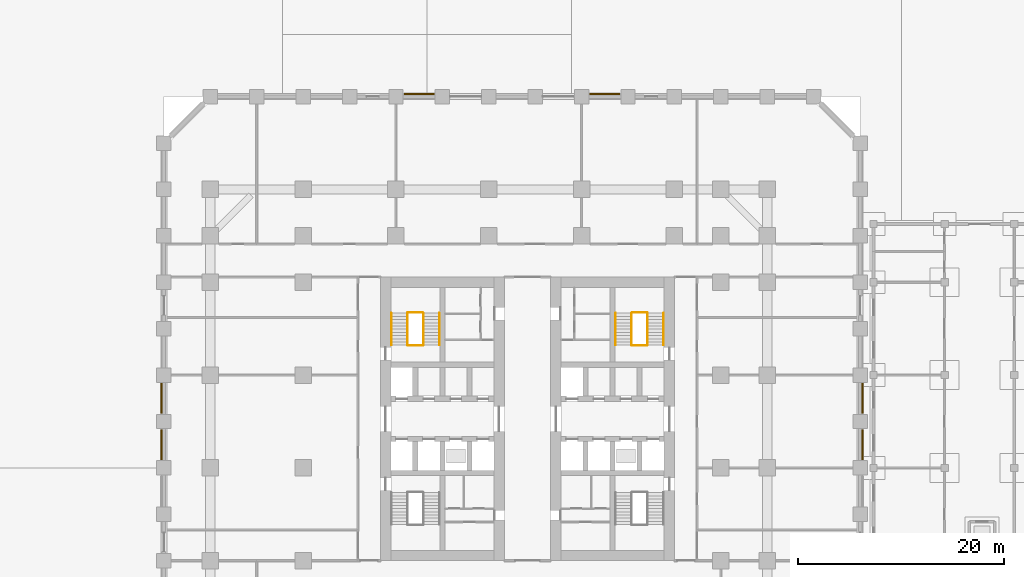
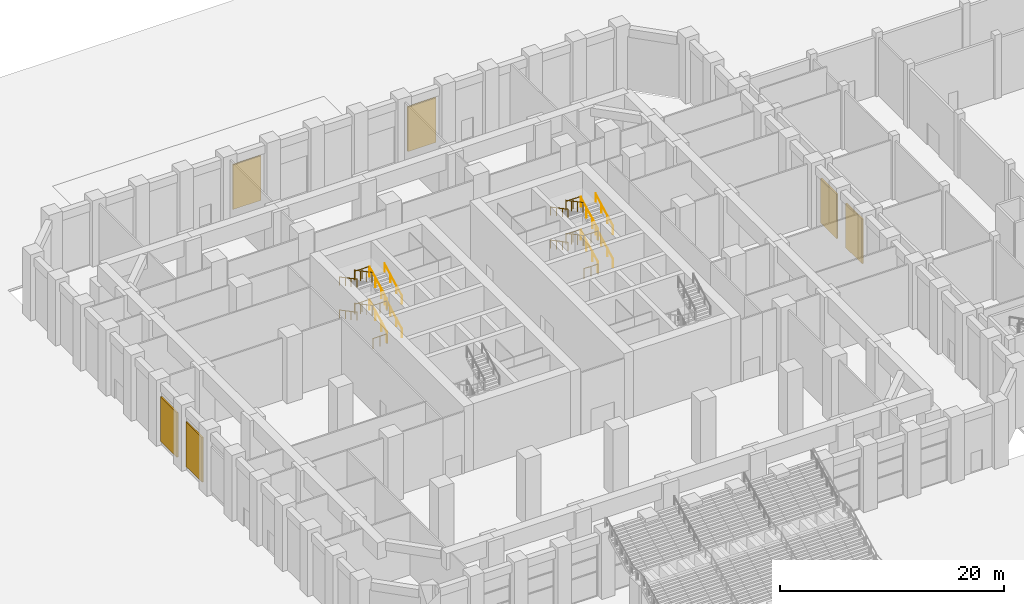
# One storey, part 26 of 30: 24 railings, 6 shading devices.
"""IFC4 building model written with IfcOpenShell, lengths in metres."""

from ifc_helpers import new_model, si_unit, direction, frame, origin, origin_2d, place, context, subcontext, project, spatial, rectangle, circle, extrude, material, layer, layer_set, type_object, element, save


model = new_model("IFC4")

# Units and contexts
model_context = context("Model", 3, precision=1e-05, world=origin(), true_north=direction((0.0, 1.0)))
body_context = subcontext(model_context, "Body", "Model", "MODEL_VIEW")
ifc_project = project(units=[si_unit("LENGTHUNIT", "METRE"), si_unit("AREAUNIT", "SQUARE_METRE"), si_unit("VOLUMEUNIT", "CUBIC_METRE"), si_unit("PLANEANGLEUNIT", "RADIAN"), si_unit("MASSUNIT", "GRAM", prefix="KILO")], contexts=[model_context])

# Site, building, storey
site_placement = place(None, origin())
site = spatial("IfcSite", under=ifc_project, at=site_placement, CompositionType="ELEMENT")
building_placement = place(site_placement, origin())
building = spatial("IfcBuilding", under=site, at=building_placement, Name="Corbel Stack Research Tower", CompositionType="ELEMENT")
storey_placement = place(building_placement, origin())
storey = spatial("IfcBuildingStorey", under=building, at=storey_placement, Name="L00", CompositionType="ELEMENT", Elevation=0.0)

# Shading devices
ifc_material_1 = material(Name="Aluminium louvre", Category="aluminium")
ifc_layer = layer(ifc_material_1, 0.14990234375)
ifc_layer_set = layer_set([ifc_layer], Name="Aluminium louvre")
shading_device_type = type_object("IfcShadingDeviceType", Name="Plant louvre 150", PredefinedType="USERDEFINED", material=ifc_layer_set)
for number, where, z_axis, x_axis, name in (
    (1, (36.25, 2.25, 0.5), (0.0, 0.0, 1.0), (0.0, 1.0, 0.0), "Plant louvre L00 E07"),
    (2, (36.25, 6.75, 0.5), (0.0, 0.0, 1.0), (0.0, 1.0, 0.0), "Plant louvre L00 E08"),
    (3, (11.25, 36.25, 0.5), (0.0, 0.0, 1.0), (-1.0, 0.0, 0.0), "Plant louvre L00 N05"),
    (4, (-6.75, 36.25, 0.5), (0.0, 0.0, 1.0), (-1.0, 0.0, 0.0), "Plant louvre L00 N09"),
    (5, (-31.75, 6.75, 0.5), (0.0, 0.0, 1.0), (0.0, -1.0, 0.0), "Plant louvre L00 W06"),
    (6, (-31.75, 2.25, 0.5), (0.0, 0.0, 1.0), (0.0, -1.0, 0.0), "Plant louvre L00 W07"),
):
    element("IfcShadingDevice", number, at=place(storey_placement, frame(where, z_axis=z_axis, x_axis=x_axis)), inside=storey, type_object=shading_device_type, Name=name, ObjectType="LOUVRE", PredefinedType="USERDEFINED", context=body_context, shape_type="SweptSolid", body=[
        extrude(rectangle(XDim=2.89990234375, YDim=0.14990234375, at=origin_2d()), origin(), (0.0, 0.0, 1.0), 4.85009765625),
    ])

# Railings
ifc_material_2 = material(Name="Steel S355", Category="steel")
railing_type_1 = type_object("IfcRailingType", Name="Stair guard 1100", PredefinedType="GUARDRAIL", material=ifc_material_2)
railing_1_placement = place(storey_placement, frame((-6.35009765625, 11.89990234375, 0.16357421875)))
element("IfcRailing", 7, at=railing_1_placement, inside=storey, type_object=railing_type_1, Name="L00 ST-W2 stair guard 1", PredefinedType="GUARDRAIL", context=body_context, shape_type="SweptSolid", body=[
    extrude(circle(Radius=0.02392578125, at=origin_2d()), frame((0.0, 0.0, 1.076171875), z_axis=(0.0, 0.884348015382, 0.466828220752), x_axis=(-1.0, 0.0, 0.0)), (0.0, 0.0, 1.0), 3.505615234375),
    extrude(circle(Radius=0.02099609375, at=origin_2d()), origin(), (0.0, 0.0, 1.0), 1.052001953125),
    extrude(circle(Radius=0.02099609375, at=origin_2d()), frame((0.0, 1.033447265625, 0.54541015625)), (0.0, 0.0, 1.0), 1.052001953125),
    extrude(circle(Radius=0.02099609375, at=origin_2d()), frame((0.0, 2.066650390625, 1.091064453125)), (0.0, 0.0, 1.0), 1.052001953125),
    extrude(circle(Radius=0.02099609375, at=origin_2d()), frame((0.0, 3.10009765625, 1.636474609375)), (0.0, 0.0, 1.0), 1.052001953125),
])
railing_2_placement = place(storey_placement, frame((-6.39990234375, 15.050048828125, 1.800048828125)))
element("IfcRailing", 8, at=railing_2_placement, inside=storey, type_object=railing_type_1, Name="L00 ST-W2 stair guard 2", PredefinedType="GUARDRAIL", context=body_context, shape_type="SweptSolid", body=[
    extrude(circle(Radius=0.02392578125, at=origin_2d()), frame((0.0, 0.0, 1.076171875), z_axis=(-1.0, 0.0, 0.0), x_axis=(0.0, -1.0, 0.0)), (0.0, 0.0, 1.0), 1.4501953125),
    extrude(circle(Radius=0.02099609375, at=origin_2d()), origin(), (0.0, 0.0, 1.0), 1.052001953125),
    extrude(circle(Radius=0.02099609375, at=origin_2d()), frame((-0.72509765625, 0.0, 0.0)), (0.0, 0.0, 1.0), 1.052001953125),
    extrude(circle(Radius=0.02099609375, at=origin_2d()), frame((-1.4501953125, 0.0, 0.0)), (0.0, 0.0, 1.0), 1.052001953125),
])
railing_3_placement = place(storey_placement, frame((-7.89990234375, 15.0, 1.963623046875)))
element("IfcRailing", 9, at=railing_3_placement, inside=storey, type_object=railing_type_1, Name="L00 ST-W2 stair guard 3", PredefinedType="GUARDRAIL", context=body_context, shape_type="SweptSolid", body=[
    extrude(circle(Radius=0.02392578125, at=origin_2d()), frame((0.0, 0.0, 1.076171875), z_axis=(0.0, -0.884348015382, 0.466828220752), x_axis=(1.0, 0.0, 0.0)), (0.0, 0.0, 1.0), 3.505615234375),
    extrude(circle(Radius=0.02099609375, at=origin_2d()), origin(), (0.0, 0.0, 1.0), 1.052001953125),
    extrude(circle(Radius=0.02099609375, at=origin_2d()), frame((0.0, -1.033447265625, 0.54541015625)), (0.0, 0.0, 1.0), 1.052001953125),
    extrude(circle(Radius=0.02099609375, at=origin_2d()), frame((0.0, -2.066650390625, 1.091064453125)), (0.0, 0.0, 1.0), 1.052001953125),
    extrude(circle(Radius=0.02099609375, at=origin_2d()), frame((0.0, -3.10009765625, 1.636474609375)), (0.0, 0.0, 1.0), 1.052001953125),
])
railing_4_placement = place(storey_placement, frame((-6.39990234375, 11.85009765625, 3.60009765625)))
element("IfcRailing", 10, at=railing_4_placement, inside=storey, type_object=railing_type_1, Name="L00 ST-W2 stair guard 4", PredefinedType="GUARDRAIL", context=body_context, shape_type="SweptSolid", body=[
    extrude(circle(Radius=0.02392578125, at=origin_2d()), frame((0.0, 0.0, 1.076171875), z_axis=(-1.0, 0.0, 0.0), x_axis=(0.0, -1.0, 0.0)), (0.0, 0.0, 1.0), 1.4501953125),
    extrude(circle(Radius=0.02099609375, at=origin_2d()), origin(), (0.0, 0.0, 1.0), 1.052001953125),
    extrude(circle(Radius=0.02099609375, at=origin_2d()), frame((-0.72509765625, 0.0, 0.0)), (0.0, 0.0, 1.0), 1.052001953125),
    extrude(circle(Radius=0.02099609375, at=origin_2d()), frame((-1.4501953125, 0.0, 0.0)), (0.0, 0.0, 1.0), 1.052001953125),
])
railing_5_placement = place(storey_placement, frame((-6.35009765625, 11.89990234375, 3.763671875)))
element("IfcRailing", 11, at=railing_5_placement, inside=storey, type_object=railing_type_1, Name="L00 ST-W2 stair guard 5", PredefinedType="GUARDRAIL", context=body_context, shape_type="SweptSolid", body=[
    extrude(circle(Radius=0.02392578125, at=origin_2d()), frame((0.0, 0.0, 1.076171875), z_axis=(0.0, 0.884376766648, 0.46677375099), x_axis=(-1.0, 0.0, 0.0)), (0.0, 0.0, 1.0), 3.50537109375),
    extrude(circle(Radius=0.02099609375, at=origin_2d()), origin(), (0.0, 0.0, 1.0), 1.052001953125),
    extrude(circle(Radius=0.02099609375, at=origin_2d()), frame((0.0, 1.033447265625, 0.54541015625)), (0.0, 0.0, 1.0), 1.052001953125),
    extrude(circle(Radius=0.02099609375, at=origin_2d()), frame((0.0, 2.066650390625, 1.0908203125)), (0.0, 0.0, 1.0), 1.052001953125),
    extrude(circle(Radius=0.02099609375, at=origin_2d()), frame((0.0, 3.10009765625, 1.63623046875)), (0.0, 0.0, 1.0), 1.052001953125),
])
railing_6_placement = place(storey_placement, frame((-6.39990234375, 15.050048828125, 5.39990234375)))
element("IfcRailing", 12, at=railing_6_placement, inside=storey, type_object=railing_type_1, Name="L00 ST-W2 stair guard 6", PredefinedType="GUARDRAIL", context=body_context, shape_type="SweptSolid", body=[
    extrude(circle(Radius=0.02392578125, at=origin_2d()), frame((0.0, 0.0, 1.076171875), z_axis=(-1.0, 0.0, 0.0), x_axis=(0.0, -1.0, 0.0)), (0.0, 0.0, 1.0), 1.4501953125),
    extrude(circle(Radius=0.02099609375, at=origin_2d()), origin(), (0.0, 0.0, 1.0), 1.052001953125),
    extrude(circle(Radius=0.02099609375, at=origin_2d()), frame((-0.72509765625, 0.0, 0.0)), (0.0, 0.0, 1.0), 1.052001953125),
    extrude(circle(Radius=0.02099609375, at=origin_2d()), frame((-1.4501953125, 0.0, 0.0)), (0.0, 0.0, 1.0), 1.052001953125),
])
railing_7_placement = place(storey_placement, frame((-7.89990234375, 15.0, 5.563720703125)))
element("IfcRailing", 13, at=railing_7_placement, inside=storey, type_object=railing_type_1, Name="L00 ST-W2 stair guard 7", PredefinedType="GUARDRAIL", context=body_context, shape_type="SweptSolid", body=[
    extrude(circle(Radius=0.02392578125, at=origin_2d()), frame((0.0, 0.0, 1.076171875), z_axis=(0.0, -0.884376766648, 0.46677375099), x_axis=(1.0, 0.0, 0.0)), (0.0, 0.0, 1.0), 3.50537109375),
    extrude(circle(Radius=0.02099609375, at=origin_2d()), origin(), (0.0, 0.0, 1.0), 1.052001953125),
    extrude(circle(Radius=0.02099609375, at=origin_2d()), frame((0.0, -1.033447265625, 0.54541015625)), (0.0, 0.0, 1.0), 1.052001953125),
    extrude(circle(Radius=0.02099609375, at=origin_2d()), frame((0.0, -2.066650390625, 1.0908203125)), (0.0, 0.0, 1.0), 1.052001953125),
    extrude(circle(Radius=0.02099609375, at=origin_2d()), frame((0.0, -3.10009765625, 1.63623046875)), (0.0, 0.0, 1.0), 1.052001953125),
])
railing_8_placement = place(storey_placement, frame((-6.39990234375, 11.85009765625, 0.0)))
element("IfcRailing", 14, at=railing_8_placement, inside=storey, type_object=railing_type_1, Name="L00 ST-W2 stair guard 8", PredefinedType="GUARDRAIL", context=body_context, shape_type="SweptSolid", body=[
    extrude(circle(Radius=0.02392578125, at=origin_2d()), frame((0.0, 0.0, 1.076171875), z_axis=(-1.0, 0.0, 0.0), x_axis=(0.0, -1.0, 0.0)), (0.0, 0.0, 1.0), 1.4501953125),
    extrude(circle(Radius=0.02099609375, at=origin_2d()), origin(), (0.0, 0.0, 1.0), 1.052001953125),
    extrude(circle(Radius=0.02099609375, at=origin_2d()), frame((-0.72509765625, 0.0, 0.0)), (0.0, 0.0, 1.0), 1.052001953125),
    extrude(circle(Radius=0.02099609375, at=origin_2d()), frame((-1.4501953125, 0.0, 0.0)), (0.0, 0.0, 1.0), 1.052001953125),
])
railing_9_placement = place(storey_placement, frame((15.39990234375, 11.89990234375, 0.16357421875)))
element("IfcRailing", 15, at=railing_9_placement, inside=storey, type_object=railing_type_1, Name="L00 ST-E2 stair guard 1", PredefinedType="GUARDRAIL", context=body_context, shape_type="SweptSolid", body=[
    extrude(circle(Radius=0.02392578125, at=origin_2d()), frame((0.0, 0.0, 1.076171875), z_axis=(0.0, 0.884348015382, 0.466828220752), x_axis=(-1.0, 0.0, 0.0)), (0.0, 0.0, 1.0), 3.505615234375),
    extrude(circle(Radius=0.02099609375, at=origin_2d()), origin(), (0.0, 0.0, 1.0), 1.052001953125),
    extrude(circle(Radius=0.02099609375, at=origin_2d()), frame((0.0, 1.033447265625, 0.54541015625)), (0.0, 0.0, 1.0), 1.052001953125),
    extrude(circle(Radius=0.02099609375, at=origin_2d()), frame((0.0, 2.066650390625, 1.091064453125)), (0.0, 0.0, 1.0), 1.052001953125),
    extrude(circle(Radius=0.02099609375, at=origin_2d()), frame((0.0, 3.10009765625, 1.636474609375)), (0.0, 0.0, 1.0), 1.052001953125),
])
railing_10_placement = place(storey_placement, frame((15.35009765625, 15.050048828125, 1.800048828125)))
element("IfcRailing", 16, at=railing_10_placement, inside=storey, type_object=railing_type_1, Name="L00 ST-E2 stair guard 2", PredefinedType="GUARDRAIL", context=body_context, shape_type="SweptSolid", body=[
    extrude(circle(Radius=0.02392578125, at=origin_2d()), frame((0.0, 0.0, 1.076171875), z_axis=(-1.0, 0.0, 0.0), x_axis=(0.0, -1.0, 0.0)), (0.0, 0.0, 1.0), 1.4501953125),
    extrude(circle(Radius=0.02099609375, at=origin_2d()), origin(), (0.0, 0.0, 1.0), 1.052001953125),
    extrude(circle(Radius=0.02099609375, at=origin_2d()), frame((-0.72509765625, 0.0, 0.0)), (0.0, 0.0, 1.0), 1.052001953125),
    extrude(circle(Radius=0.02099609375, at=origin_2d()), frame((-1.4501953125, 0.0, 0.0)), (0.0, 0.0, 1.0), 1.052001953125),
])
railing_11_placement = place(storey_placement, frame((13.85009765625, 15.0, 1.963623046875)))
element("IfcRailing", 17, at=railing_11_placement, inside=storey, type_object=railing_type_1, Name="L00 ST-E2 stair guard 3", PredefinedType="GUARDRAIL", context=body_context, shape_type="SweptSolid", body=[
    extrude(circle(Radius=0.02392578125, at=origin_2d()), frame((0.0, 0.0, 1.076171875), z_axis=(0.0, -0.884348015382, 0.466828220752), x_axis=(1.0, 0.0, 0.0)), (0.0, 0.0, 1.0), 3.505615234375),
    extrude(circle(Radius=0.02099609375, at=origin_2d()), origin(), (0.0, 0.0, 1.0), 1.052001953125),
    extrude(circle(Radius=0.02099609375, at=origin_2d()), frame((0.0, -1.033447265625, 0.54541015625)), (0.0, 0.0, 1.0), 1.052001953125),
    extrude(circle(Radius=0.02099609375, at=origin_2d()), frame((0.0, -2.066650390625, 1.091064453125)), (0.0, 0.0, 1.0), 1.052001953125),
    extrude(circle(Radius=0.02099609375, at=origin_2d()), frame((0.0, -3.10009765625, 1.636474609375)), (0.0, 0.0, 1.0), 1.052001953125),
])
railing_12_placement = place(storey_placement, frame((15.35009765625, 11.85009765625, 3.60009765625)))
element("IfcRailing", 18, at=railing_12_placement, inside=storey, type_object=railing_type_1, Name="L00 ST-E2 stair guard 4", PredefinedType="GUARDRAIL", context=body_context, shape_type="SweptSolid", body=[
    extrude(circle(Radius=0.02392578125, at=origin_2d()), frame((0.0, 0.0, 1.076171875), z_axis=(-1.0, 0.0, 0.0), x_axis=(0.0, -1.0, 0.0)), (0.0, 0.0, 1.0), 1.4501953125),
    extrude(circle(Radius=0.02099609375, at=origin_2d()), origin(), (0.0, 0.0, 1.0), 1.052001953125),
    extrude(circle(Radius=0.02099609375, at=origin_2d()), frame((-0.72509765625, 0.0, 0.0)), (0.0, 0.0, 1.0), 1.052001953125),
    extrude(circle(Radius=0.02099609375, at=origin_2d()), frame((-1.4501953125, 0.0, 0.0)), (0.0, 0.0, 1.0), 1.052001953125),
])
railing_13_placement = place(storey_placement, frame((15.39990234375, 11.89990234375, 3.763671875)))
element("IfcRailing", 19, at=railing_13_placement, inside=storey, type_object=railing_type_1, Name="L00 ST-E2 stair guard 5", PredefinedType="GUARDRAIL", context=body_context, shape_type="SweptSolid", body=[
    extrude(circle(Radius=0.02392578125, at=origin_2d()), frame((0.0, 0.0, 1.076171875), z_axis=(0.0, 0.884376766648, 0.46677375099), x_axis=(-1.0, 0.0, 0.0)), (0.0, 0.0, 1.0), 3.50537109375),
    extrude(circle(Radius=0.02099609375, at=origin_2d()), origin(), (0.0, 0.0, 1.0), 1.052001953125),
    extrude(circle(Radius=0.02099609375, at=origin_2d()), frame((0.0, 1.033447265625, 0.54541015625)), (0.0, 0.0, 1.0), 1.052001953125),
    extrude(circle(Radius=0.02099609375, at=origin_2d()), frame((0.0, 2.066650390625, 1.0908203125)), (0.0, 0.0, 1.0), 1.052001953125),
    extrude(circle(Radius=0.02099609375, at=origin_2d()), frame((0.0, 3.10009765625, 1.63623046875)), (0.0, 0.0, 1.0), 1.052001953125),
])
railing_14_placement = place(storey_placement, frame((15.35009765625, 15.050048828125, 5.39990234375)))
element("IfcRailing", 20, at=railing_14_placement, inside=storey, type_object=railing_type_1, Name="L00 ST-E2 stair guard 6", PredefinedType="GUARDRAIL", context=body_context, shape_type="SweptSolid", body=[
    extrude(circle(Radius=0.02392578125, at=origin_2d()), frame((0.0, 0.0, 1.076171875), z_axis=(-1.0, 0.0, 0.0), x_axis=(0.0, -1.0, 0.0)), (0.0, 0.0, 1.0), 1.4501953125),
    extrude(circle(Radius=0.02099609375, at=origin_2d()), origin(), (0.0, 0.0, 1.0), 1.052001953125),
    extrude(circle(Radius=0.02099609375, at=origin_2d()), frame((-0.72509765625, 0.0, 0.0)), (0.0, 0.0, 1.0), 1.052001953125),
    extrude(circle(Radius=0.02099609375, at=origin_2d()), frame((-1.4501953125, 0.0, 0.0)), (0.0, 0.0, 1.0), 1.052001953125),
])
railing_15_placement = place(storey_placement, frame((13.85009765625, 15.0, 5.563720703125)))
element("IfcRailing", 21, at=railing_15_placement, inside=storey, type_object=railing_type_1, Name="L00 ST-E2 stair guard 7", PredefinedType="GUARDRAIL", context=body_context, shape_type="SweptSolid", body=[
    extrude(circle(Radius=0.02392578125, at=origin_2d()), frame((0.0, 0.0, 1.076171875), z_axis=(0.0, -0.884376766648, 0.46677375099), x_axis=(1.0, 0.0, 0.0)), (0.0, 0.0, 1.0), 3.50537109375),
    extrude(circle(Radius=0.02099609375, at=origin_2d()), origin(), (0.0, 0.0, 1.0), 1.052001953125),
    extrude(circle(Radius=0.02099609375, at=origin_2d()), frame((0.0, -1.033447265625, 0.54541015625)), (0.0, 0.0, 1.0), 1.052001953125),
    extrude(circle(Radius=0.02099609375, at=origin_2d()), frame((0.0, -2.066650390625, 1.0908203125)), (0.0, 0.0, 1.0), 1.052001953125),
    extrude(circle(Radius=0.02099609375, at=origin_2d()), frame((0.0, -3.10009765625, 1.63623046875)), (0.0, 0.0, 1.0), 1.052001953125),
])
railing_16_placement = place(storey_placement, frame((15.35009765625, 11.85009765625, 0.0)))
element("IfcRailing", 22, at=railing_16_placement, inside=storey, type_object=railing_type_1, Name="L00 ST-E2 stair guard 8", PredefinedType="GUARDRAIL", context=body_context, shape_type="SweptSolid", body=[
    extrude(circle(Radius=0.02392578125, at=origin_2d()), frame((0.0, 0.0, 1.076171875), z_axis=(-1.0, 0.0, 0.0), x_axis=(0.0, -1.0, 0.0)), (0.0, 0.0, 1.0), 1.4501953125),
    extrude(circle(Radius=0.02099609375, at=origin_2d()), origin(), (0.0, 0.0, 1.0), 1.052001953125),
    extrude(circle(Radius=0.02099609375, at=origin_2d()), frame((-0.72509765625, 0.0, 0.0)), (0.0, 0.0, 1.0), 1.052001953125),
    extrude(circle(Radius=0.02099609375, at=origin_2d()), frame((-1.4501953125, 0.0, 0.0)), (0.0, 0.0, 1.0), 1.052001953125),
])
ifc_material_3 = material(Name="Steel S355", Category="steel")
railing_type_2 = type_object("IfcRailingType", Name="Stair handrail 900", PredefinedType="HANDRAIL", material=ifc_material_3)
railing_17_placement = place(storey_placement, frame((-4.800048828125, 11.89990234375, 0.16357421875)))
element("IfcRailing", 23, at=railing_17_placement, inside=storey, type_object=railing_type_2, Name="L00 ST-W2 stair handrail 1", PredefinedType="HANDRAIL", context=body_context, shape_type="SweptSolid", body=[
    extrude(circle(Radius=0.02392578125, at=origin_2d()), frame((0.0, 0.0, 0.8759765625), z_axis=(0.0, 0.884348015382, 0.466828220752), x_axis=(-1.0, 0.0, 0.0)), (0.0, 0.0, 1.0), 3.505615234375),
    extrude(circle(Radius=0.02099609375, at=origin_2d()), origin(), (0.0, 0.0, 1.0), 0.851806640625),
    extrude(circle(Radius=0.02099609375, at=origin_2d()), frame((0.0, 1.033447265625, 0.54541015625)), (0.0, 0.0, 1.0), 0.851806640625),
    extrude(circle(Radius=0.02099609375, at=origin_2d()), frame((0.0, 2.066650390625, 1.091064453125)), (0.0, 0.0, 1.0), 0.851806640625),
    extrude(circle(Radius=0.02099609375, at=origin_2d()), frame((0.0, 3.10009765625, 1.636474609375)), (0.0, 0.0, 1.0), 0.851806640625),
])
railing_18_placement = place(storey_placement, frame((-9.449951171875, 15.0, 1.963623046875)))
element("IfcRailing", 24, at=railing_18_placement, inside=storey, type_object=railing_type_2, Name="L00 ST-W2 stair handrail 2", PredefinedType="HANDRAIL", context=body_context, shape_type="SweptSolid", body=[
    extrude(circle(Radius=0.02392578125, at=origin_2d()), frame((0.0, 0.0, 0.8759765625), z_axis=(0.0, -0.884348015382, 0.466828220752), x_axis=(1.0, 0.0, 0.0)), (0.0, 0.0, 1.0), 3.505615234375),
    extrude(circle(Radius=0.02099609375, at=origin_2d()), origin(), (0.0, 0.0, 1.0), 0.851806640625),
    extrude(circle(Radius=0.02099609375, at=origin_2d()), frame((0.0, -1.033447265625, 0.54541015625)), (0.0, 0.0, 1.0), 0.851806640625),
    extrude(circle(Radius=0.02099609375, at=origin_2d()), frame((0.0, -2.066650390625, 1.091064453125)), (0.0, 0.0, 1.0), 0.851806640625),
    extrude(circle(Radius=0.02099609375, at=origin_2d()), frame((0.0, -3.10009765625, 1.636474609375)), (0.0, 0.0, 1.0), 0.851806640625),
])
railing_19_placement = place(storey_placement, frame((-4.800048828125, 11.89990234375, 3.763671875)))
element("IfcRailing", 25, at=railing_19_placement, inside=storey, type_object=railing_type_2, Name="L00 ST-W2 stair handrail 3", PredefinedType="HANDRAIL", context=body_context, shape_type="SweptSolid", body=[
    extrude(circle(Radius=0.02392578125, at=origin_2d()), frame((0.0, 0.0, 0.8759765625), z_axis=(0.0, 0.884376766648, 0.46677375099), x_axis=(-1.0, 0.0, 0.0)), (0.0, 0.0, 1.0), 3.50537109375),
    extrude(circle(Radius=0.02099609375, at=origin_2d()), origin(), (0.0, 0.0, 1.0), 0.851806640625),
    extrude(circle(Radius=0.02099609375, at=origin_2d()), frame((0.0, 1.033447265625, 0.54541015625)), (0.0, 0.0, 1.0), 0.851806640625),
    extrude(circle(Radius=0.02099609375, at=origin_2d()), frame((0.0, 2.066650390625, 1.0908203125)), (0.0, 0.0, 1.0), 0.851806640625),
    extrude(circle(Radius=0.02099609375, at=origin_2d()), frame((0.0, 3.10009765625, 1.63623046875)), (0.0, 0.0, 1.0), 0.851806640625),
])
railing_20_placement = place(storey_placement, frame((-9.449951171875, 15.0, 5.563720703125)))
element("IfcRailing", 26, at=railing_20_placement, inside=storey, type_object=railing_type_2, Name="L00 ST-W2 stair handrail 4", PredefinedType="HANDRAIL", context=body_context, shape_type="SweptSolid", body=[
    extrude(circle(Radius=0.02392578125, at=origin_2d()), frame((0.0, 0.0, 0.8759765625), z_axis=(0.0, -0.884376766648, 0.46677375099), x_axis=(1.0, 0.0, 0.0)), (0.0, 0.0, 1.0), 3.50537109375),
    extrude(circle(Radius=0.02099609375, at=origin_2d()), origin(), (0.0, 0.0, 1.0), 0.851806640625),
    extrude(circle(Radius=0.02099609375, at=origin_2d()), frame((0.0, -1.033447265625, 0.54541015625)), (0.0, 0.0, 1.0), 0.851806640625),
    extrude(circle(Radius=0.02099609375, at=origin_2d()), frame((0.0, -2.066650390625, 1.0908203125)), (0.0, 0.0, 1.0), 0.851806640625),
    extrude(circle(Radius=0.02099609375, at=origin_2d()), frame((0.0, -3.10009765625, 1.63623046875)), (0.0, 0.0, 1.0), 0.851806640625),
])
railing_21_placement = place(storey_placement, frame((16.949951171875, 11.89990234375, 0.16357421875)))
element("IfcRailing", 27, at=railing_21_placement, inside=storey, type_object=railing_type_2, Name="L00 ST-E2 stair handrail 1", PredefinedType="HANDRAIL", context=body_context, shape_type="SweptSolid", body=[
    extrude(circle(Radius=0.02392578125, at=origin_2d()), frame((0.0, 0.0, 0.8759765625), z_axis=(0.0, 0.884348015382, 0.466828220752), x_axis=(-1.0, 0.0, 0.0)), (0.0, 0.0, 1.0), 3.505615234375),
    extrude(circle(Radius=0.02099609375, at=origin_2d()), origin(), (0.0, 0.0, 1.0), 0.851806640625),
    extrude(circle(Radius=0.02099609375, at=origin_2d()), frame((0.0, 1.033447265625, 0.54541015625)), (0.0, 0.0, 1.0), 0.851806640625),
    extrude(circle(Radius=0.02099609375, at=origin_2d()), frame((0.0, 2.066650390625, 1.091064453125)), (0.0, 0.0, 1.0), 0.851806640625),
    extrude(circle(Radius=0.02099609375, at=origin_2d()), frame((0.0, 3.10009765625, 1.636474609375)), (0.0, 0.0, 1.0), 0.851806640625),
])
railing_22_placement = place(storey_placement, frame((12.300048828125, 15.0, 1.963623046875)))
element("IfcRailing", 28, at=railing_22_placement, inside=storey, type_object=railing_type_2, Name="L00 ST-E2 stair handrail 2", PredefinedType="HANDRAIL", context=body_context, shape_type="SweptSolid", body=[
    extrude(circle(Radius=0.02392578125, at=origin_2d()), frame((0.0, 0.0, 0.8759765625), z_axis=(0.0, -0.884348015382, 0.466828220752), x_axis=(1.0, 0.0, 0.0)), (0.0, 0.0, 1.0), 3.505615234375),
    extrude(circle(Radius=0.02099609375, at=origin_2d()), origin(), (0.0, 0.0, 1.0), 0.851806640625),
    extrude(circle(Radius=0.02099609375, at=origin_2d()), frame((0.0, -1.033447265625, 0.54541015625)), (0.0, 0.0, 1.0), 0.851806640625),
    extrude(circle(Radius=0.02099609375, at=origin_2d()), frame((0.0, -2.066650390625, 1.091064453125)), (0.0, 0.0, 1.0), 0.851806640625),
    extrude(circle(Radius=0.02099609375, at=origin_2d()), frame((0.0, -3.10009765625, 1.636474609375)), (0.0, 0.0, 1.0), 0.851806640625),
])
railing_23_placement = place(storey_placement, frame((16.949951171875, 11.89990234375, 3.763671875)))
element("IfcRailing", 29, at=railing_23_placement, inside=storey, type_object=railing_type_2, Name="L00 ST-E2 stair handrail 3", PredefinedType="HANDRAIL", context=body_context, shape_type="SweptSolid", body=[
    extrude(circle(Radius=0.02392578125, at=origin_2d()), frame((0.0, 0.0, 0.8759765625), z_axis=(0.0, 0.884376766648, 0.46677375099), x_axis=(-1.0, 0.0, 0.0)), (0.0, 0.0, 1.0), 3.50537109375),
    extrude(circle(Radius=0.02099609375, at=origin_2d()), origin(), (0.0, 0.0, 1.0), 0.851806640625),
    extrude(circle(Radius=0.02099609375, at=origin_2d()), frame((0.0, 1.033447265625, 0.54541015625)), (0.0, 0.0, 1.0), 0.851806640625),
    extrude(circle(Radius=0.02099609375, at=origin_2d()), frame((0.0, 2.066650390625, 1.0908203125)), (0.0, 0.0, 1.0), 0.851806640625),
    extrude(circle(Radius=0.02099609375, at=origin_2d()), frame((0.0, 3.10009765625, 1.63623046875)), (0.0, 0.0, 1.0), 0.851806640625),
])
railing_24_placement = place(storey_placement, frame((12.300048828125, 15.0, 5.563720703125)))
element("IfcRailing", 30, at=railing_24_placement, inside=storey, type_object=railing_type_2, Name="L00 ST-E2 stair handrail 4", PredefinedType="HANDRAIL", context=body_context, shape_type="SweptSolid", body=[
    extrude(circle(Radius=0.02392578125, at=origin_2d()), frame((0.0, 0.0, 0.8759765625), z_axis=(0.0, -0.884376766648, 0.46677375099), x_axis=(1.0, 0.0, 0.0)), (0.0, 0.0, 1.0), 3.50537109375),
    extrude(circle(Radius=0.02099609375, at=origin_2d()), origin(), (0.0, 0.0, 1.0), 0.851806640625),
    extrude(circle(Radius=0.02099609375, at=origin_2d()), frame((0.0, -1.033447265625, 0.54541015625)), (0.0, 0.0, 1.0), 0.851806640625),
    extrude(circle(Radius=0.02099609375, at=origin_2d()), frame((0.0, -2.066650390625, 1.0908203125)), (0.0, 0.0, 1.0), 0.851806640625),
    extrude(circle(Radius=0.02099609375, at=origin_2d()), frame((0.0, -3.10009765625, 1.63623046875)), (0.0, 0.0, 1.0), 0.851806640625),
])

save(model, "model.ifc")
